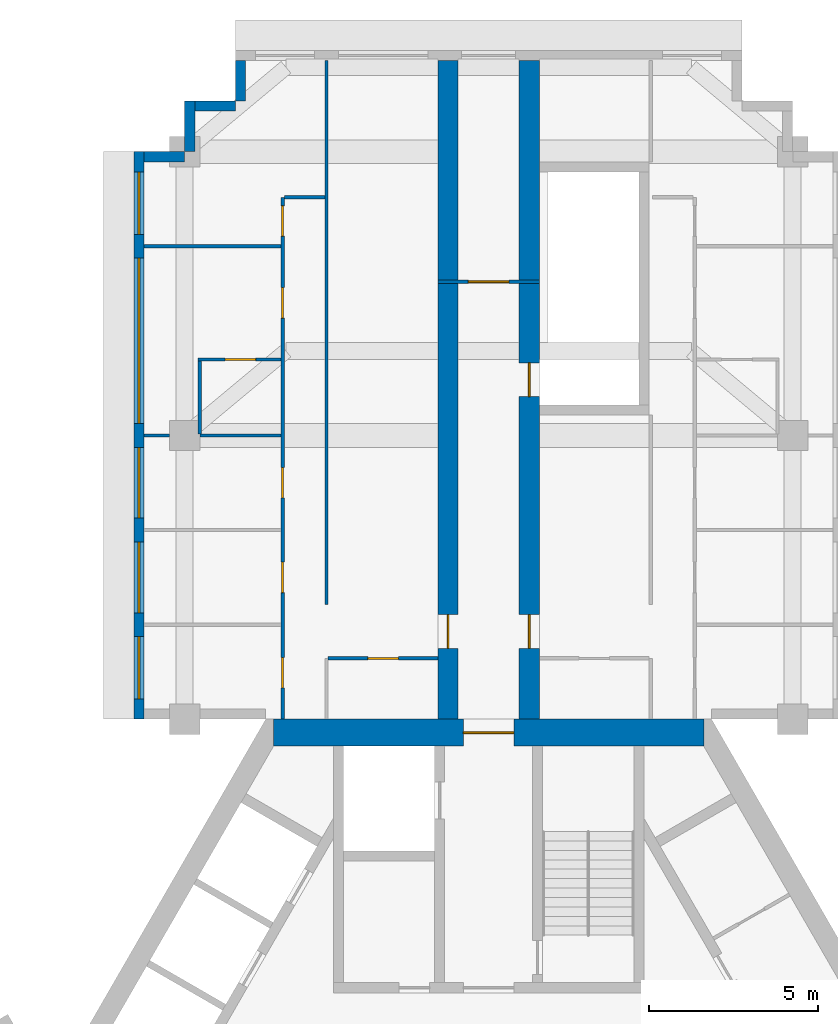
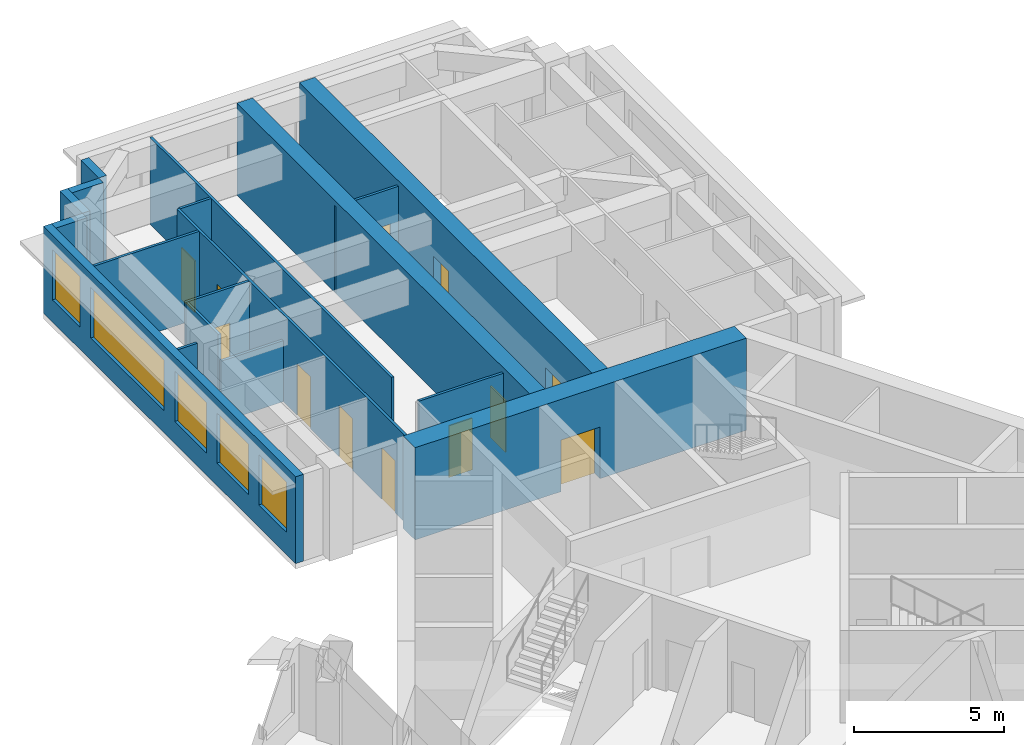
# One storey, part 7 of 10: 18 walls, 12 doors, 5 windows, 17 openings.
"""IFC4 building model written with IfcOpenShell, lengths in metres."""

import ifcopenshell
import ifcopenshell.guid

model = None  # the IFC model being written
_history = None  # IfcOwnerHistory: only IFC2X3 demands one
_inside = {}  # id of a spatial element -> (the spatial element, [elements in it])
_under = {}  # id of a project, library or spatial element -> (it, [spatial elements below it])
_declared = {}  # id of a project -> (the project, [libraries it declares])
_typed = {}  # id of a type object -> (the type object, [elements of that type])
_made_of = {}  # id of a material, layer set ... -> (it, [elements and type objects made of it])


def new_model(schema):
    """Start an empty IFC model of exactly this schema.

    Asked for "IFC4X3", IfcOpenShell would pick the latest addendum, in which some entities
    have other attributes; the version numbers below select the first issue.
    IFC2X3 requires an IfcOwnerHistory on every rooted entity: one is made here for all.
    """
    global model, _history
    if schema == "IFC4X3":
        model = ifcopenshell.file(schema_version=(4, 3, 0, 0))
    else:
        model = ifcopenshell.file(schema=schema)
    _inside.clear()
    _under.clear()
    _declared.clear()
    _typed.clear()
    _made_of.clear()
    _history = None
    if model.schema == "IFC2X3":
        org = make("IfcOrganization", Name="unknown")
        user = make(
            "IfcPersonAndOrganization",
            ThePerson=make("IfcPerson", FamilyName="unknown"),
            TheOrganization=org,
        )
        app = make(
            "IfcApplication",
            ApplicationDeveloper=org,
            Version="unknown",
            ApplicationFullName="unknown",
            ApplicationIdentifier="unknown",
        )
        _history = make(
            "IfcOwnerHistory",
            OwningUser=user,
            OwningApplication=app,
            ChangeAction="ADDED",
            CreationDate=0,
        )
    return model


def make(cls, **values):
    """One entity of the class cls with the attributes given. An attribute that is None is left unset."""
    return model.create_entity(
        cls, **{name: value for name, value in values.items() if value is not None}
    )


def rooted(cls, **values):
    """An entity with a GlobalId (a new one), such as an element, a storey or a relation."""
    return make(cls, GlobalId=ifcopenshell.guid.new(), OwnerHistory=_history, **values)


def si_unit(unit_type, name, prefix=None):
    """IfcSIUnit, for example si_unit("LENGTHUNIT", "METRE", prefix="MILLI")."""
    return make("IfcSIUnit", UnitType=unit_type, Prefix=prefix, Name=name)


def assignment(units):
    """IfcUnitAssignment: the units of a project."""
    return None if units is None else make("IfcUnitAssignment", Units=units)


def point(xyz):
    """IfcCartesianPoint."""
    return None if xyz is None else make("IfcCartesianPoint", Coordinates=xyz)


def direction(xyz):
    """IfcDirection."""
    return None if xyz is None else make("IfcDirection", DirectionRatios=xyz)


def frame(location, z_axis=None, x_axis=None):
    """IfcAxis2Placement3D, a coordinate frame: its origin and axes. An axis left out is left unset."""
    return make(
        "IfcAxis2Placement3D",
        Location=point(location),
        Axis=direction(z_axis),
        RefDirection=direction(x_axis),
    )


def frame_2d(location, x_axis=None):
    """IfcAxis2Placement2D, a coordinate frame in the plane: its origin and x axis."""
    return make(
        "IfcAxis2Placement2D", Location=point(location), RefDirection=direction(x_axis)
    )


def origin():
    """The frame at (0, 0, 0) with its axes left unset."""
    return frame((0.0, 0.0, 0.0))


def place(relative_to, where):
    """IfcLocalPlacement: puts the frame where relative to a parent placement (None: the world)."""
    return make(
        "IfcLocalPlacement", PlacementRelTo=relative_to, RelativePlacement=where
    )


def context(
    kind, dimensions, precision=None, world=None, true_north=None, identifier=None
):
    """IfcGeometricRepresentationContext, for example the 3D "Model" context."""
    return make(
        "IfcGeometricRepresentationContext",
        ContextIdentifier=identifier,
        ContextType=kind,
        CoordinateSpaceDimension=dimensions,
        Precision=precision,
        WorldCoordinateSystem=world,
        TrueNorth=true_north,
    )


def subcontext(parent, identifier, kind, view, scale=None):
    """IfcGeometricRepresentationSubContext, for example "Body" below "Model"."""
    return make(
        "IfcGeometricRepresentationSubContext",
        ContextIdentifier=identifier,
        ContextType=kind,
        ParentContext=parent,
        TargetScale=scale,
        TargetView=view,
    )


def project(units=None, contexts=None):
    """IfcProject with its units and contexts."""
    return rooted(
        "IfcProject",
        Name="project",
        RepresentationContexts=contexts,
        UnitsInContext=assignment(units),
    )


def spatial(cls, under=None, at=None, **own):
    """A site, building, storey or space (cls), placed at a placement, below another one or the project."""
    s = rooted(cls, ObjectPlacement=at, **own)
    if under is not None:
        _under.setdefault(under.id(), (under, []))[1].append(s)
    return s


def profile(cls, at=None, kind="AREA", **sizes):
    """A parametric profile (cls). Its sizes go by their IFC names, for example OverallWidth=200.0."""
    return make(cls, ProfileType=kind, Position=at, **sizes)


def rectangle(**sizes):
    """IfcRectangleProfileDef."""
    return profile("IfcRectangleProfileDef", **sizes)


def extrude(swept, where, along, depth):
    """IfcExtrudedAreaSolid: the profile swept, set in the frame where, extruded along a direction by depth."""
    return make(
        "IfcExtrudedAreaSolid",
        SweptArea=swept,
        Position=where,
        ExtrudedDirection=direction(along),
        Depth=depth,
    )


def shape(context_of_items, identifier, shape_type, items):
    """IfcShapeRepresentation: the items that make up one representation, for example the "Body"."""
    return make(
        "IfcShapeRepresentation",
        ContextOfItems=context_of_items,
        RepresentationIdentifier=identifier,
        RepresentationType=shape_type,
        Items=items,
    )


def material(Name=None, Category=None):
    """IfcMaterial."""
    return make("IfcMaterial", Name=Name, Category=Category)


def layer(
    of_material, thickness, ventilated=None, Name=None, Category=None, Priority=None
):
    """IfcMaterialLayer: one layer of a wall or slab, of a material (None: an air gap)."""
    return make(
        "IfcMaterialLayer",
        Material=of_material,
        LayerThickness=thickness,
        IsVentilated=ventilated,
        Name=Name,
        Category=Category,
        Priority=Priority,
    )


def layer_set(layers, Name=None):
    """IfcMaterialLayerSet."""
    return make("IfcMaterialLayerSet", MaterialLayers=layers, LayerSetName=Name)


def made_of(thing, what):
    """Note that an element or type object is made of a material, layer set ...; save() writes the relation."""
    if what is not None:
        _made_of.setdefault(what.id(), (what, []))[1].append(thing)
    return thing


def type_object(cls, material=None, **own):
    """A type object (cls), such as IfcWallType, which elements share."""
    return made_of(rooted(cls, **own), material)


def element(
    cls,
    number,
    at=None,
    inside=None,
    cuts=None,
    type_object=None,
    material=None,
    context=None,
    identifier="Body",
    shape_type=None,
    held_by="IfcProductDefinitionShape",
    body=None,
    shapes=None,
    **own,
):
    """One element of the class cls, such as IfcWall. Its Tag is "e" and its number.

    at: its placement. inside: the storey or other place that contains it. cuts: it is an
    opening in that element (IfcRelVoidsElement). A single representation is given by context,
    identifier, shape_type and body (its items); several are given by shapes. held_by: the class
    of the entity that holds the representations. save() writes the other relations.
    """
    e = rooted(cls, Tag="e%d" % number, ObjectPlacement=at, **own)
    if body is not None:
        shapes = [shape(context, identifier, shape_type, body)]
    if shapes is not None:
        e.Representation = make(held_by, Representations=shapes)
    if inside is not None:
        _inside.setdefault(inside.id(), (inside, []))[1].append(e)
    if cuts is not None:
        rooted(
            "IfcRelVoidsElement", RelatingBuildingElement=cuts, RelatedOpeningElement=e
        )
    if type_object is not None:
        _typed.setdefault(type_object.id(), (type_object, []))[1].append(e)
    return made_of(e, material)


def fill(opening, filler):
    """IfcRelFillsElement: the door or window that sits in an opening."""
    return rooted(
        "IfcRelFillsElement",
        RelatingOpeningElement=opening,
        RelatedBuildingElement=filler,
    )


def aggregate(whole, parts):
    """IfcRelAggregates: a whole, such as a stair, and the parts it consists of."""
    return rooted("IfcRelAggregates", RelatingObject=whole, RelatedObjects=parts)


def save(model, path):
    """Write the relations noted so far, then the file.

    IfcRelAggregates (storeys below a building ...), IfcRelContainedInSpatialStructure (elements
    in a storey), IfcRelDefinesByType, IfcRelAssociatesMaterial and IfcRelDeclares: one each for
    every whole, place, type object, material and project.
    """
    for whole, parts in _under.values():
        aggregate(whole, parts)
    for where, things in _inside.values():
        rooted(
            "IfcRelContainedInSpatialStructure",
            RelatedElements=things,
            RelatingStructure=where,
        )
    for kind, things in _typed.values():
        rooted("IfcRelDefinesByType", RelatedObjects=things, RelatingType=kind)
    for what, things in _made_of.values():
        rooted("IfcRelAssociatesMaterial", RelatedObjects=things, RelatingMaterial=what)
    for by, libraries in _declared.values():
        rooted("IfcRelDeclares", RelatingContext=by, RelatedDefinitions=libraries)
    model.write(path)


model = new_model("IFC4")

# Units and contexts
model_context = context("Model", 3, precision=1e-05, world=origin(), true_north=direction((0.0, 1.0)))
body_context = subcontext(model_context, "Body", "Model", "MODEL_VIEW")
ifc_project = project(units=[si_unit("LENGTHUNIT", "METRE"), si_unit("AREAUNIT", "SQUARE_METRE"), si_unit("VOLUMEUNIT", "CUBIC_METRE"), si_unit("PLANEANGLEUNIT", "RADIAN"), si_unit("MASSUNIT", "GRAM", prefix="KILO")], contexts=[model_context])

# Site, building, storey
site_placement = place(None, origin())
site = spatial("IfcSite", under=ifc_project, at=site_placement, CompositionType="ELEMENT")
building_placement = place(site_placement, origin())
building = spatial("IfcBuilding", under=site, at=building_placement, Name="Impinga Residences", CompositionType="ELEMENT")
storey_placement = place(building_placement, frame((0.0, 0.0, 271.0)))
storey = spatial("IfcBuildingStorey", under=building, at=storey_placement, Name="L68", CompositionType="ELEMENT", Elevation=271.0)

# Wall, opening, door
ifc_material_1 = material(Name="Concrete C60/75", Category="concrete")
ifc_layer_1 = layer(ifc_material_1, 0.60009765625)
ifc_layer_set_1 = layer_set([ifc_layer_1], Name="Concrete C60/75")
wall_type_1 = type_object("IfcWallType", Name="BW3 corridor buttress wall, L46 to L73 600", PredefinedType="SHEAR", material=ifc_layer_set_1)
wall_1_placement = place(storey_placement, frame((-1.199951171875, 11.031494140625, 0.0), z_axis=(0.0, 0.0, 1.0), x_axis=(0.0, 1.0, 0.0)))
wall_1 = element("IfcWall", 1, at=wall_1_placement, inside=storey, type_object=wall_type_1, Name="Corridor wall BW3 NC L68", PredefinedType="SHEAR", context=body_context, shape_type="SweptSolid", body=[
    extrude(rectangle(XDim=19.900146484375, YDim=0.60009765625, at=frame_2d((9.9501953125, 0.0))), origin(), (0.0, 0.0, 1.0), 3.75),
])
opening_1_placement = place(wall_1_placement, frame((2.5, 0.0, 0.0)))
opening_1 = element("IfcOpeningElement", 2, at=opening_1_placement, cuts=wall_1, Name="Opening D1", PredefinedType="OPENING", context=body_context, shape_type="SweptSolid", body=[
    extrude(rectangle(XDim=1.0, YDim=2.10009765625, at=frame_2d((0.5, 1.050048828125))), frame((0.0, 0.31005859375, 0.0), z_axis=(0.0, -1.0, 0.0), x_axis=(1.0, 0.0, 0.0)), (0.0, 0.0, 1.0), 0.6201171875),
])
ifc_material_2 = material(Name="Timber door set", Category="wood")
door_type_1 = type_object("IfcDoorType", Name="D1 apartment entrance door 1000x2100", OperationType="SINGLE_SWING_LEFT", PredefinedType="DOOR", material=ifc_material_2)
door_1_placement = place(opening_1_placement, origin())
door_1 = element("IfcDoor", 3, at=door_1_placement, inside=storey, type_object=door_type_1, Name="Apartment L68-NA1 entrance", OperationType="SINGLE_SWING_LEFT", OverallHeight=2.10009765625, OverallWidth=1.0, PredefinedType="DOOR", context=body_context, shape_type="SweptSolid", body=[
    extrude(rectangle(XDim=1.0, YDim=2.10009765625, at=frame_2d((0.5, 1.050048828125))), frame((0.0, 0.02490234375, 0.0), z_axis=(0.0, -1.0, 0.0), x_axis=(1.0, 0.0, 0.0)), (0.0, 0.0, 1.0), 0.050048828125),
])
fill(opening_1, door_1)

# Wall, openings, doors
wall_2_placement = place(storey_placement, frame((1.199951171875, 11.031494140625, 0.0), z_axis=(0.0, 0.0, 1.0), x_axis=(0.0, 1.0, 0.0)))
wall_2 = element("IfcWall", 4, at=wall_2_placement, inside=storey, type_object=wall_type_1, Name="Corridor wall BW3 ND L68", PredefinedType="SHEAR", context=body_context, shape_type="SweptSolid", body=[
    extrude(rectangle(XDim=19.900146484375, YDim=0.60009765625, at=frame_2d((9.9501953125, 0.0))), origin(), (0.0, 0.0, 1.0), 3.75),
])
opening_2_placement = place(wall_2_placement, frame((9.949951171875, 0.0, 0.0)))
opening_2 = element("IfcOpeningElement", 5, at=opening_2_placement, cuts=wall_2, Name="Opening D5", PredefinedType="OPENING", context=body_context, shape_type="SweptSolid", body=[
    extrude(rectangle(XDim=1.0, YDim=2.10009765625, at=frame_2d((0.5, 1.050048828125))), frame((0.0, 0.31005859375, 0.0), z_axis=(0.0, -1.0, 0.0), x_axis=(1.0, 0.0, 0.0)), (0.0, 0.0, 1.0), 0.6201171875),
])
opening_3_placement = place(wall_2_placement, frame((2.5, 0.0, 0.0)))
opening_3 = element("IfcOpeningElement", 6, at=opening_3_placement, cuts=wall_2, Name="Opening D1", PredefinedType="OPENING", context=body_context, shape_type="SweptSolid", body=[
    extrude(rectangle(XDim=1.0, YDim=2.10009765625, at=frame_2d((0.5, 1.050048828125))), frame((0.0, 0.31005859375, 0.0), z_axis=(0.0, -1.0, 0.0), x_axis=(1.0, 0.0, 0.0)), (0.0, 0.0, 1.0), 0.6201171875),
])
door_2_placement = place(opening_3_placement, origin())
door_2 = element("IfcDoor", 7, at=door_2_placement, inside=storey, type_object=door_type_1, Name="Apartment L68-NF1 entrance", OperationType="SINGLE_SWING_LEFT", OverallHeight=2.10009765625, OverallWidth=1.0, PredefinedType="DOOR", context=body_context, shape_type="SweptSolid", body=[
    extrude(rectangle(XDim=1.0, YDim=2.10009765625, at=frame_2d((0.5, 1.050048828125))), frame((0.0, 0.02490234375, 0.0), z_axis=(0.0, -1.0, 0.0), x_axis=(1.0, 0.0, 0.0)), (0.0, 0.0, 1.0), 0.050048828125),
])
fill(opening_3, door_2)
door_type_2 = type_object("IfcDoorType", Name="D5 stair door 1000x2100", OperationType="SINGLE_SWING_LEFT", PredefinedType="DOOR", material=ifc_material_2)
door_3_placement = place(opening_2_placement, origin())
door_3 = element("IfcDoor", 8, at=door_3_placement, inside=storey, type_object=door_type_2, Name="Wing stair door N", OperationType="SINGLE_SWING_RIGHT", OverallHeight=2.10009765625, OverallWidth=1.0, PredefinedType="DOOR", context=body_context, shape_type="SweptSolid", body=[
    extrude(rectangle(XDim=1.0, YDim=2.10009765625, at=frame_2d((0.5, 1.050048828125))), frame((0.0, 0.02490234375, 0.0), z_axis=(0.0, -1.0, 0.0), x_axis=(1.0, 0.0, 0.0)), (0.0, 0.0, 1.0), 0.050048828125),
])
fill(opening_2, door_3)

# Wall, opening, door
ifc_material_3 = material(Name="Concrete blockwork", Category="masonry")
ifc_layer_2 = layer(ifc_material_3, 0.10009765625)
ifc_layer_set_2 = layer_set([ifc_layer_2], Name="CP1 core room partition, blockwork 100")
wall_type_2 = type_object("IfcWallType", Name="CP1 core room partition, blockwork 100", PredefinedType="PARTITIONING", material=ifc_layer_set_2)
wall_3_placement = place(storey_placement, frame((-1.5, 24.381591796875, 0.0), z_axis=(0.0, 0.0, 1.0), x_axis=(1.0, 0.0, 0.0)))
wall_3 = element("IfcWall", 9, at=wall_3_placement, inside=storey, type_object=wall_type_2, Name="Core room partition, blockwork L68:N:LNG", PredefinedType="PARTITIONING", context=body_context, shape_type="SweptSolid", body=[
    extrude(rectangle(XDim=3.0, YDim=0.10009765625, at=frame_2d((1.5, 0.0))), origin(), (0.0, 0.0, 1.0), 3.530029296875),
])
opening_4_placement = place(wall_3_placement, frame((0.89990234375, 0.0, 0.0)))
opening_4 = element("IfcOpeningElement", 10, at=opening_4_placement, cuts=wall_3, Name="Opening D3", PredefinedType="OPENING", context=body_context, shape_type="SweptSolid", body=[
    extrude(rectangle(XDim=1.199951171875, YDim=2.10009765625, at=frame_2d((0.60009765625, 1.050048828125))), frame((0.0, 0.06005859375, 0.0), z_axis=(0.0, -1.0, 0.0), x_axis=(1.0, 0.0, 0.0)), (0.0, 0.0, 1.0), 0.1201171875),
])
door_type_3 = type_object("IfcDoorType", Name="D3 room door, leaf and a half 1200x2100", OperationType="DOUBLE_SWING_LEFT", PredefinedType="DOOR", material=ifc_material_2)
door_4_placement = place(opening_4_placement, origin())
door_4 = element("IfcDoor", 11, at=door_4_placement, inside=storey, type_object=door_type_3, Name="Residents' lounge door N", OperationType="DOUBLE_SWING_LEFT", OverallHeight=2.10009765625, OverallWidth=1.199951171875, PredefinedType="DOOR", context=body_context, shape_type="SweptSolid", body=[
    extrude(rectangle(XDim=1.199951171875, YDim=2.10009765625, at=frame_2d((0.60009765625, 1.050048828125))), frame((0.0, 0.02490234375, 0.0), z_axis=(0.0, -1.0, 0.0), x_axis=(1.0, 0.0, 0.0)), (0.0, 0.0, 1.0), 0.050048828125),
])
fill(opening_4, door_4)

# Wall, openings, windows
ifc_material_4 = material(Name="Terracotta rainscreen on blockwork", Category="masonry")
ifc_layer_3 = layer(ifc_material_4, 0.300048828125)
ifc_layer_set_3 = layer_set([ifc_layer_3], Name="EW1 external wall, terracotta rainscreen on blockwork 300")
wall_type_3 = type_object("IfcWallType", Name="EW1 external wall, terracotta rainscreen on blockwork 300", PredefinedType="SOLIDWALL", material=ifc_layer_set_3)
wall_4_placement = place(storey_placement, frame((-10.35009765625, 11.431640625, 0.0), z_axis=(0.0, 0.0, 1.0), x_axis=(0.0, 1.0, 0.0)))
wall_4 = element("IfcWall", 12, at=wall_4_placement, inside=storey, type_object=wall_type_3, Name="External wall EW1 L68", PredefinedType="SOLIDWALL", context=body_context, shape_type="SweptSolid", body=[
    extrude(rectangle(XDim=16.7998046875, YDim=0.300048828125, at=frame_2d((8.39990234375, 0.0))), origin(), (0.0, 0.0, 1.0), 3.530029296875),
])
opening_5_placement = place(wall_4_placement, frame((0.60009765625, 0.0, 0.89990234375)))
opening_5 = element("IfcOpeningElement", 13, at=opening_5_placement, cuts=wall_4, Name="Opening W15", PredefinedType="OPENING", context=body_context, shape_type="SweptSolid", body=[
    extrude(rectangle(XDim=1.85009765625, YDim=2.050048828125, at=frame_2d((0.925048828125, 1.02490234375))), frame((0.0, 0.159912109375, 0.0), z_axis=(0.0, -1.0, 0.0), x_axis=(1.0, 0.0, 0.0)), (0.0, 0.0, 1.0), 0.320068359375),
])
opening_6_placement = place(wall_4_placement, frame((3.14990234375, 0.0, 0.89990234375)))
opening_6 = element("IfcOpeningElement", 14, at=opening_6_placement, cuts=wall_4, Name="Opening W9", PredefinedType="OPENING", context=body_context, shape_type="SweptSolid", body=[
    extrude(rectangle(XDim=2.10009765625, YDim=2.050048828125, at=frame_2d((1.050048828125, 1.02490234375))), frame((0.0, 0.159912109375, 0.0), z_axis=(0.0, -1.0, 0.0), x_axis=(1.0, 0.0, 0.0)), (0.0, 0.0, 1.0), 0.320068359375),
])
opening_7_placement = place(wall_4_placement, frame((5.949951171875, 0.0, 0.89990234375)))
opening_7 = element("IfcOpeningElement", 15, at=opening_7_placement, cuts=wall_4, Name="Opening W9", PredefinedType="OPENING", context=body_context, shape_type="SweptSolid", body=[
    extrude(rectangle(XDim=2.10009765625, YDim=2.050048828125, at=frame_2d((1.050048828125, 1.02490234375))), frame((0.0, 0.159912109375, 0.0), z_axis=(0.0, -1.0, 0.0), x_axis=(1.0, 0.0, 0.0)), (0.0, 0.0, 1.0), 0.320068359375),
])
opening_8_placement = place(wall_4_placement, frame((8.75, 0.0, 0.89990234375)))
opening_8 = element("IfcOpeningElement", 16, at=opening_8_placement, cuts=wall_4, Name="Opening W16", PredefinedType="OPENING", context=body_context, shape_type="SweptSolid", body=[
    extrude(rectangle(XDim=4.89990234375, YDim=2.050048828125, at=frame_2d((2.449951171875, 1.02490234375))), frame((0.0, 0.159912109375, 0.0), z_axis=(0.0, -1.0, 0.0), x_axis=(1.0, 0.0, 0.0)), (0.0, 0.0, 1.0), 0.320068359375),
])
opening_9_placement = place(wall_4_placement, frame((14.35009765625, 0.0, 0.89990234375)))
opening_9 = element("IfcOpeningElement", 17, at=opening_9_placement, cuts=wall_4, Name="Opening W15", PredefinedType="OPENING", context=body_context, shape_type="SweptSolid", body=[
    extrude(rectangle(XDim=1.85009765625, YDim=2.050048828125, at=frame_2d((0.925048828125, 1.02490234375))), frame((0.0, 0.159912109375, 0.0), z_axis=(0.0, -1.0, 0.0), x_axis=(1.0, 0.0, 0.0)), (0.0, 0.0, 1.0), 0.320068359375),
])
ifc_material_5 = material(Name="Aluminium window, clear double glazing", Category="aluminium")
window_type_1 = type_object("IfcWindowType", Name="W15 ribbon window 1850x2050", PartitioningType="SINGLE_PANEL", PredefinedType="WINDOW", material=ifc_material_5)
window_1_placement = place(opening_5_placement, origin())
window_1 = element("IfcWindow", 18, at=window_1_placement, inside=storey, type_object=window_type_1, Name="Window L68", OverallHeight=2.050048828125, OverallWidth=1.85009765625, PartitioningType="SINGLE_PANEL", PredefinedType="WINDOW", context=body_context, shape_type="SweptSolid", body=[
    extrude(rectangle(XDim=1.85009765625, YDim=2.050048828125, at=frame_2d((0.925048828125, 1.02490234375))), frame((0.0, 0.030029296875, 0.0), z_axis=(0.0, -1.0, 0.0), x_axis=(1.0, 0.0, 0.0)), (0.0, 0.0, 1.0), 0.06005859375),
])
fill(opening_5, window_1)
window_2_placement = place(opening_9_placement, origin())
window_2 = element("IfcWindow", 19, at=window_2_placement, inside=storey, type_object=window_type_1, Name="Window L68", OverallHeight=2.050048828125, OverallWidth=1.85009765625, PartitioningType="SINGLE_PANEL", PredefinedType="WINDOW", context=body_context, shape_type="SweptSolid", body=[
    extrude(rectangle(XDim=1.85009765625, YDim=2.050048828125, at=frame_2d((0.925048828125, 1.02490234375))), frame((0.0, 0.030029296875, 0.0), z_axis=(0.0, -1.0, 0.0), x_axis=(1.0, 0.0, 0.0)), (0.0, 0.0, 1.0), 0.06005859375),
])
fill(opening_9, window_2)
window_type_2 = type_object("IfcWindowType", Name="W16 ribbon window 4900x2050", PartitioningType="SINGLE_PANEL", PredefinedType="WINDOW", material=ifc_material_5)
window_3_placement = place(opening_8_placement, origin())
window_3 = element("IfcWindow", 20, at=window_3_placement, inside=storey, type_object=window_type_2, Name="Window L68", OverallHeight=2.050048828125, OverallWidth=4.89990234375, PartitioningType="SINGLE_PANEL", PredefinedType="WINDOW", context=body_context, shape_type="SweptSolid", body=[
    extrude(rectangle(XDim=4.89990234375, YDim=2.050048828125, at=frame_2d((2.449951171875, 1.02490234375))), frame((0.0, 0.030029296875, 0.0), z_axis=(0.0, -1.0, 0.0), x_axis=(1.0, 0.0, 0.0)), (0.0, 0.0, 1.0), 0.06005859375),
])
fill(opening_8, window_3)
window_type_3 = type_object("IfcWindowType", Name="W9 ribbon window 2100x2050", PartitioningType="SINGLE_PANEL", PredefinedType="WINDOW", material=ifc_material_5)
window_4_placement = place(opening_6_placement, origin())
window_4 = element("IfcWindow", 21, at=window_4_placement, inside=storey, type_object=window_type_3, Name="Window L68", OverallHeight=2.050048828125, OverallWidth=2.10009765625, PartitioningType="SINGLE_PANEL", PredefinedType="WINDOW", context=body_context, shape_type="SweptSolid", body=[
    extrude(rectangle(XDim=2.10009765625, YDim=2.050048828125, at=frame_2d((1.050048828125, 1.02490234375))), frame((0.0, 0.030029296875, 0.0), z_axis=(0.0, -1.0, 0.0), x_axis=(1.0, 0.0, 0.0)), (0.0, 0.0, 1.0), 0.06005859375),
])
fill(opening_6, window_4)
window_5_placement = place(opening_7_placement, origin())
window_5 = element("IfcWindow", 22, at=window_5_placement, inside=storey, type_object=window_type_3, Name="Window L68", OverallHeight=2.050048828125, OverallWidth=2.10009765625, PartitioningType="SINGLE_PANEL", PredefinedType="WINDOW", context=body_context, shape_type="SweptSolid", body=[
    extrude(rectangle(XDim=2.10009765625, YDim=2.050048828125, at=frame_2d((1.050048828125, 1.02490234375))), frame((0.0, 0.030029296875, 0.0), z_axis=(0.0, -1.0, 0.0), x_axis=(1.0, 0.0, 0.0)), (0.0, 0.0, 1.0), 0.06005859375),
])
fill(opening_7, window_5)

# Walls
wall_5_placement = place(storey_placement, frame((-10.199951171875, 28.08154296875, 0.0), z_axis=(0.0, 0.0, 1.0), x_axis=(1.0, 0.0, 0.0)))
element("IfcWall", 23, at=wall_5_placement, inside=storey, type_object=wall_type_3, Name="External wall EW1 L68", PredefinedType="SOLIDWALL", context=body_context, shape_type="SweptSolid", body=[
    extrude(rectangle(XDim=1.199951171875, YDim=0.300048828125, at=frame_2d((0.60009765625, 0.0))), origin(), (0.0, 0.0, 1.0), 3.530029296875),
])
wall_6_placement = place(storey_placement, frame((-8.85009765625, 28.236572265625, 0.0), z_axis=(0.0, 0.0, 1.0), x_axis=(0.0, 1.0, 0.0)))
element("IfcWall", 24, at=wall_6_placement, inside=storey, type_object=wall_type_3, Name="External wall EW1 L68", PredefinedType="SOLIDWALL", context=body_context, shape_type="SweptSolid", body=[
    extrude(rectangle(XDim=1.494873046875, YDim=0.300048828125, at=frame_2d((0.74755859375, 0.0))), origin(), (0.0, 0.0, 1.0), 3.530029296875),
])
wall_7_placement = place(storey_placement, frame((-8.699951171875, 29.58154296875, 0.0), z_axis=(0.0, 0.0, 1.0), x_axis=(1.0, 0.0, 0.0)))
element("IfcWall", 25, at=wall_7_placement, inside=storey, type_object=wall_type_3, Name="External wall EW1 L68", PredefinedType="SOLIDWALL", context=body_context, shape_type="SweptSolid", body=[
    extrude(rectangle(XDim=1.199951171875, YDim=0.300048828125, at=frame_2d((0.60009765625, 0.0))), origin(), (0.0, 0.0, 1.0), 3.530029296875),
])
wall_8_placement = place(storey_placement, frame((-7.35009765625, 29.736572265625, 0.0), z_axis=(0.0, 0.0, 1.0), x_axis=(0.0, 1.0, 0.0)))
element("IfcWall", 26, at=wall_8_placement, inside=storey, type_object=wall_type_3, Name="External wall EW1 L68", PredefinedType="SOLIDWALL", context=body_context, shape_type="SweptSolid", body=[
    extrude(rectangle(XDim=1.195068359375, YDim=0.300048828125, at=frame_2d((0.59765625, 0.0))), origin(), (0.0, 0.0, 1.0), 3.530029296875),
])
ifc_material_6 = material(Name="Gypsum board on steel studs", Category="steel")
ifc_layer_4 = layer(ifc_material_6, 0.10009765625)
ifc_layer_set_4 = layer_set([ifc_layer_4], Name="Gypsum board on steel studs")
wall_type_4 = type_object("IfcWallType", Name="IP1 partition 100", PredefinedType="PARTITIONING", material=ifc_layer_set_4)
wall_9_placement = place(storey_placement, frame((-4.800048828125, 14.83154296875, 0.0), z_axis=(0.0, 0.0, 1.0), x_axis=(0.0, 1.0, 0.0)))
element("IfcWall", 27, at=wall_9_placement, inside=storey, type_object=wall_type_4, Name="Partition L68-NA1:DIV1", PredefinedType="PARTITIONING", context=body_context, shape_type="SweptSolid", body=[
    extrude(rectangle(XDim=16.10009765625, YDim=0.10009765625, at=frame_2d((8.050048828125, 0.0))), origin(), (0.0, 0.0, 1.0), 3.530029296875),
])

# Wall, openings, doors
wall_10_placement = place(storey_placement, frame((-6.10009765625, 11.431640625, 0.0), z_axis=(0.0, 0.0, 1.0), x_axis=(0.0, 1.0, 0.0)))
wall_10 = element("IfcWall", 28, at=wall_10_placement, inside=storey, type_object=wall_type_4, Name="Partition L68-NA1:STRIP", PredefinedType="PARTITIONING", context=body_context, shape_type="SweptSolid", body=[
    extrude(rectangle(XDim=15.449951171875, YDim=0.10009765625, at=frame_2d((7.72509765625, 0.0))), origin(), (0.0, 0.0, 1.0), 3.530029296875),
])
opening_10_placement = place(wall_10_placement, frame((0.925048828125, 0.0, 0.0)))
opening_10 = element("IfcOpeningElement", 29, at=opening_10_placement, cuts=wall_10, Name="Opening D2", PredefinedType="OPENING", context=body_context, shape_type="SweptSolid", body=[
    extrude(rectangle(XDim=0.89990234375, YDim=2.10009765625, at=frame_2d((0.449951171875, 1.050048828125))), frame((0.0, 0.06005859375, 0.0), z_axis=(0.0, -1.0, 0.0), x_axis=(1.0, 0.0, 0.0)), (0.0, 0.0, 1.0), 0.1201171875),
])
opening_11_placement = place(wall_10_placement, frame((3.75, 0.0, 0.0)))
opening_11 = element("IfcOpeningElement", 30, at=opening_11_placement, cuts=wall_10, Name="Opening D2", PredefinedType="OPENING", context=body_context, shape_type="SweptSolid", body=[
    extrude(rectangle(XDim=0.89990234375, YDim=2.10009765625, at=frame_2d((0.449951171875, 1.050048828125))), frame((0.0, 0.06005859375, 0.0), z_axis=(0.0, -1.0, 0.0), x_axis=(1.0, 0.0, 0.0)), (0.0, 0.0, 1.0), 0.1201171875),
])
opening_12_placement = place(wall_10_placement, frame((6.550048828125, 0.0, 0.0)))
opening_12 = element("IfcOpeningElement", 31, at=opening_12_placement, cuts=wall_10, Name="Opening D2", PredefinedType="OPENING", context=body_context, shape_type="SweptSolid", body=[
    extrude(rectangle(XDim=0.89990234375, YDim=2.10009765625, at=frame_2d((0.449951171875, 1.050048828125))), frame((0.0, 0.06005859375, 0.0), z_axis=(0.0, -1.0, 0.0), x_axis=(1.0, 0.0, 0.0)), (0.0, 0.0, 1.0), 0.1201171875),
])
opening_13_placement = place(wall_10_placement, frame((11.875, 0.0, 0.0)))
opening_13 = element("IfcOpeningElement", 32, at=opening_13_placement, cuts=wall_10, Name="Opening D2", PredefinedType="OPENING", context=body_context, shape_type="SweptSolid", body=[
    extrude(rectangle(XDim=0.89990234375, YDim=2.10009765625, at=frame_2d((0.449951171875, 1.050048828125))), frame((0.0, 0.06005859375, 0.0), z_axis=(0.0, -1.0, 0.0), x_axis=(1.0, 0.0, 0.0)), (0.0, 0.0, 1.0), 0.1201171875),
])
opening_14_placement = place(wall_10_placement, frame((14.300048828125, 0.0, 0.0)))
opening_14 = element("IfcOpeningElement", 33, at=opening_14_placement, cuts=wall_10, Name="Opening D2", PredefinedType="OPENING", context=body_context, shape_type="SweptSolid", body=[
    extrude(rectangle(XDim=0.89990234375, YDim=2.10009765625, at=frame_2d((0.449951171875, 1.050048828125))), frame((0.0, 0.06005859375, 0.0), z_axis=(0.0, -1.0, 0.0), x_axis=(1.0, 0.0, 0.0)), (0.0, 0.0, 1.0), 0.1201171875),
])
door_type_4 = type_object("IfcDoorType", Name="D2 internal door 900x2100", OperationType="SINGLE_SWING_LEFT", PredefinedType="DOOR", material=ifc_material_2)
door_5_placement = place(opening_10_placement, origin())
door_5 = element("IfcDoor", 34, at=door_5_placement, inside=storey, type_object=door_type_4, Name="Apartment L68-NA1 room door", OperationType="SINGLE_SWING_LEFT", OverallHeight=2.10009765625, OverallWidth=0.89990234375, PredefinedType="DOOR", context=body_context, shape_type="SweptSolid", body=[
    extrude(rectangle(XDim=0.89990234375, YDim=2.10009765625, at=frame_2d((0.449951171875, 1.050048828125))), frame((0.0, 0.02490234375, 0.0), z_axis=(0.0, -1.0, 0.0), x_axis=(1.0, 0.0, 0.0)), (0.0, 0.0, 1.0), 0.050048828125),
])
fill(opening_10, door_5)
door_6_placement = place(opening_11_placement, origin())
door_6 = element("IfcDoor", 35, at=door_6_placement, inside=storey, type_object=door_type_4, Name="Apartment L68-NA1 room door", OperationType="SINGLE_SWING_LEFT", OverallHeight=2.10009765625, OverallWidth=0.89990234375, PredefinedType="DOOR", context=body_context, shape_type="SweptSolid", body=[
    extrude(rectangle(XDim=0.89990234375, YDim=2.10009765625, at=frame_2d((0.449951171875, 1.050048828125))), frame((0.0, 0.02490234375, 0.0), z_axis=(0.0, -1.0, 0.0), x_axis=(1.0, 0.0, 0.0)), (0.0, 0.0, 1.0), 0.050048828125),
])
fill(opening_11, door_6)
door_7_placement = place(opening_12_placement, origin())
door_7 = element("IfcDoor", 36, at=door_7_placement, inside=storey, type_object=door_type_4, Name="Apartment L68-NA1 room door", OperationType="SINGLE_SWING_LEFT", OverallHeight=2.10009765625, OverallWidth=0.89990234375, PredefinedType="DOOR", context=body_context, shape_type="SweptSolid", body=[
    extrude(rectangle(XDim=0.89990234375, YDim=2.10009765625, at=frame_2d((0.449951171875, 1.050048828125))), frame((0.0, 0.02490234375, 0.0), z_axis=(0.0, -1.0, 0.0), x_axis=(1.0, 0.0, 0.0)), (0.0, 0.0, 1.0), 0.050048828125),
])
fill(opening_12, door_7)
door_8_placement = place(opening_13_placement, origin())
door_8 = element("IfcDoor", 37, at=door_8_placement, inside=storey, type_object=door_type_4, Name="Apartment L68-NA1 room door", OperationType="SINGLE_SWING_RIGHT", OverallHeight=2.10009765625, OverallWidth=0.89990234375, PredefinedType="DOOR", context=body_context, shape_type="SweptSolid", body=[
    extrude(rectangle(XDim=0.89990234375, YDim=2.10009765625, at=frame_2d((0.449951171875, 1.050048828125))), frame((0.0, 0.02490234375, 0.0), z_axis=(0.0, -1.0, 0.0), x_axis=(1.0, 0.0, 0.0)), (0.0, 0.0, 1.0), 0.050048828125),
])
fill(opening_13, door_8)
door_9_placement = place(opening_14_placement, origin())
door_9 = element("IfcDoor", 38, at=door_9_placement, inside=storey, type_object=door_type_4, Name="Apartment L68-NA1 room door", OperationType="SINGLE_SWING_RIGHT", OverallHeight=2.10009765625, OverallWidth=0.89990234375, PredefinedType="DOOR", context=body_context, shape_type="SweptSolid", body=[
    extrude(rectangle(XDim=0.89990234375, YDim=2.10009765625, at=frame_2d((0.449951171875, 1.050048828125))), frame((0.0, 0.02490234375, 0.0), z_axis=(0.0, -1.0, 0.0), x_axis=(1.0, 0.0, 0.0)), (0.0, 0.0, 1.0), 0.050048828125),
])
fill(opening_14, door_9)

# Wall
wall_11_placement = place(storey_placement, frame((-4.85009765625, 26.881591796875, 0.0), z_axis=(0.0, 0.0, 1.0), x_axis=(-1.0, 0.0, 0.0)))
element("IfcWall", 39, at=wall_11_placement, inside=storey, type_object=wall_type_4, Name="Partition L68-NA1:SE1", PredefinedType="PARTITIONING", context=body_context, shape_type="SweptSolid", body=[
    extrude(rectangle(XDim=1.199951171875, YDim=0.10009765625, at=frame_2d((0.60009765625, 0.0))), origin(), (0.0, 0.0, 1.0), 3.530029296875),
])

# Wall, opening, door
wall_12_placement = place(storey_placement, frame((-1.5, 13.2314453125, 0.0), z_axis=(0.0, 0.0, 1.0), x_axis=(-1.0, 0.0, 0.0)))
wall_12 = element("IfcWall", 40, at=wall_12_placement, inside=storey, type_object=wall_type_4, Name="Partition L68-NA1:IB1", PredefinedType="PARTITIONING", context=body_context, shape_type="SweptSolid", body=[
    extrude(rectangle(XDim=3.25, YDim=0.10009765625, at=frame_2d((1.625, 0.0))), origin(), (0.0, 0.0, 1.0), 3.530029296875),
])
opening_15_placement = place(wall_12_placement, frame((1.175048828125, 0.0, 0.0)))
opening_15 = element("IfcOpeningElement", 41, at=opening_15_placement, cuts=wall_12, Name="Opening D2", PredefinedType="OPENING", context=body_context, shape_type="SweptSolid", body=[
    extrude(rectangle(XDim=0.89990234375, YDim=2.10009765625, at=frame_2d((0.449951171875, 1.050048828125))), frame((0.0, 0.06005859375, 0.0), z_axis=(0.0, -1.0, 0.0), x_axis=(1.0, 0.0, 0.0)), (0.0, 0.0, 1.0), 0.1201171875),
])
door_10_placement = place(opening_15_placement, origin())
door_10 = element("IfcDoor", 42, at=door_10_placement, inside=storey, type_object=door_type_4, Name="Apartment L68-NA1 bathroom door", OperationType="SINGLE_SWING_LEFT", OverallHeight=2.10009765625, OverallWidth=0.89990234375, PredefinedType="DOOR", context=body_context, shape_type="SweptSolid", body=[
    extrude(rectangle(XDim=0.89990234375, YDim=2.10009765625, at=frame_2d((0.449951171875, 1.050048828125))), frame((0.0, 0.02490234375, 0.0), z_axis=(0.0, -1.0, 0.0), x_axis=(1.0, 0.0, 0.0)), (0.0, 0.0, 1.0), 0.050048828125),
])
fill(opening_15, door_10)

# Walls
wall_13_placement = place(storey_placement, frame((-6.14990234375, 19.83154296875, 0.0), z_axis=(0.0, 0.0, 1.0), x_axis=(-1.0, 0.0, 0.0)))
element("IfcWall", 43, at=wall_13_placement, inside=storey, type_object=wall_type_4, Name="Partition L68-NA1:OB3", PredefinedType="PARTITIONING", context=body_context, shape_type="SweptSolid", body=[
    extrude(rectangle(XDim=2.400146484375, YDim=0.10009765625, at=frame_2d((1.2001953125, 0.0))), origin(), (0.0, 0.0, 1.0), 2.47998046875),
])
wall_14_placement = place(storey_placement, frame((-9.449951171875, 19.83154296875, 0.0), z_axis=(0.0, 0.0, 1.0), x_axis=(-1.0, 0.0, 0.0)))
element("IfcWall", 44, at=wall_14_placement, inside=storey, type_object=wall_type_4, Name="Partition L68-NA1:OB3b", PredefinedType="PARTITIONING", context=body_context, shape_type="SweptSolid", body=[
    extrude(rectangle(XDim=0.75, YDim=0.10009765625, at=frame_2d((0.375, 0.0))), origin(), (0.0, 0.0, 1.0), 3.530029296875),
])
wall_15_placement = place(storey_placement, frame((-6.14990234375, 25.431640625, 0.0), z_axis=(0.0, 0.0, 1.0), x_axis=(-1.0, 0.0, 0.0)))
element("IfcWall", 45, at=wall_15_placement, inside=storey, type_object=wall_type_4, Name="Partition L68-NA1:OB4", PredefinedType="PARTITIONING", context=body_context, shape_type="SweptSolid", body=[
    extrude(rectangle(XDim=4.050048828125, YDim=0.10009765625, at=frame_2d((2.02490234375, 0.0))), origin(), (0.0, 0.0, 1.0), 3.530029296875),
])

# Wall, opening, door
wall_16_placement = place(storey_placement, frame((-6.14990234375, 22.08154296875, 0.0), z_axis=(0.0, 0.0, 1.0), x_axis=(-1.0, 0.0, 0.0)))
wall_16 = element("IfcWall", 46, at=wall_16_placement, inside=storey, type_object=wall_type_4, Name="Partition L68-NA1:EN1", PredefinedType="PARTITIONING", context=body_context, shape_type="SweptSolid", body=[
    extrude(rectangle(XDim=2.4501953125, YDim=0.10009765625, at=frame_2d((1.22509765625, 0.0))), origin(), (0.0, 0.0, 1.0), 3.530029296875),
])
opening_16_placement = place(wall_16_placement, frame((0.75, 0.0, 0.0)))
opening_16 = element("IfcOpeningElement", 47, at=opening_16_placement, cuts=wall_16, Name="Opening D2", PredefinedType="OPENING", context=body_context, shape_type="SweptSolid", body=[
    extrude(rectangle(XDim=0.89990234375, YDim=2.10009765625, at=frame_2d((0.449951171875, 1.050048828125))), frame((0.0, 0.06005859375, 0.0), z_axis=(0.0, -1.0, 0.0), x_axis=(1.0, 0.0, 0.0)), (0.0, 0.0, 1.0), 0.1201171875),
])
door_11_placement = place(opening_16_placement, origin())
door_11 = element("IfcDoor", 48, at=door_11_placement, inside=storey, type_object=door_type_4, Name="Apartment L68-NA1 en-suite door", OperationType="SINGLE_SWING_LEFT", OverallHeight=2.10009765625, OverallWidth=0.89990234375, PredefinedType="DOOR", context=body_context, shape_type="SweptSolid", body=[
    extrude(rectangle(XDim=0.89990234375, YDim=2.10009765625, at=frame_2d((0.449951171875, 1.050048828125))), frame((0.0, 0.02490234375, 0.0), z_axis=(0.0, -1.0, 0.0), x_axis=(1.0, 0.0, 0.0)), (0.0, 0.0, 1.0), 0.050048828125),
])
fill(opening_16, door_11)

# Wall
wall_17_placement = place(storey_placement, frame((-8.550048828125, 19.881591796875, 0.0), z_axis=(0.0, 0.0, 1.0), x_axis=(0.0, 1.0, 0.0)))
element("IfcWall", 49, at=wall_17_placement, inside=storey, type_object=wall_type_4, Name="Partition L68-NA1:EN2", PredefinedType="PARTITIONING", context=body_context, shape_type="SweptSolid", body=[
    extrude(rectangle(XDim=2.14990234375, YDim=0.10009765625, at=frame_2d((1.074951171875, 0.0))), origin(), (0.0, 0.0, 1.0), 3.530029296875),
])

# Wall, opening, door
ifc_layer_5 = layer(ifc_material_1, 0.800048828125)
ifc_layer_set_5 = layer_set([ifc_layer_5], Name="Concrete C60/75")
wall_type_5 = type_object("IfcWallType", Name="SW2 core wall 800", PredefinedType="SHEAR", material=ifc_layer_set_5)
wall_18_placement = place(storey_placement, frame((-6.369140625, 11.031494140625, 0.0), z_axis=(0.0, 0.0, 1.0), x_axis=(1.0, 0.0, 0.0)))
wall_18 = element("IfcWall", 50, at=wall_18_placement, inside=storey, type_object=wall_type_5, Name="Core wall SW2 N:FACE L68", PredefinedType="SHEAR", context=body_context, shape_type="SweptSolid", body=[
    extrude(rectangle(XDim=12.73828125, YDim=0.800048828125, at=frame_2d((6.369140625, 0.0))), origin(), (0.0, 0.0, 1.0), 3.75),
])
opening_17_placement = place(wall_18_placement, frame((5.619140625, 0.0, 0.0)))
opening_17 = element("IfcOpeningElement", 51, at=opening_17_placement, cuts=wall_18, Name="Opening D4", PredefinedType="OPENING", context=body_context, shape_type="SweptSolid", body=[
    extrude(rectangle(XDim=1.5, YDim=2.10009765625, at=frame_2d((0.75, 1.050048828125))), frame((0.0, 0.409912109375, 0.0), z_axis=(0.0, -1.0, 0.0), x_axis=(1.0, 0.0, 0.0)), (0.0, 0.0, 1.0), 0.820068359375),
])
door_type_5 = type_object("IfcDoorType", Name="D4 lobby door pair 1500x2100", OperationType="DOUBLE_DOOR_DOUBLE_SWING", PredefinedType="DOOR", material=ifc_material_2)
door_12_placement = place(opening_17_placement, origin())
door_12 = element("IfcDoor", 52, at=door_12_placement, inside=storey, type_object=door_type_5, Name="Lobby door N", OperationType="DOUBLE_DOOR_DOUBLE_SWING", OverallHeight=2.10009765625, OverallWidth=1.5, PredefinedType="DOOR", context=body_context, shape_type="SweptSolid", body=[
    extrude(rectangle(XDim=1.5, YDim=2.10009765625, at=frame_2d((0.75, 1.050048828125))), frame((0.0, 0.02490234375, 0.0), z_axis=(0.0, -1.0, 0.0), x_axis=(1.0, 0.0, 0.0)), (0.0, 0.0, 1.0), 0.050048828125),
])
fill(opening_17, door_12)

save(model, "model.ifc")
